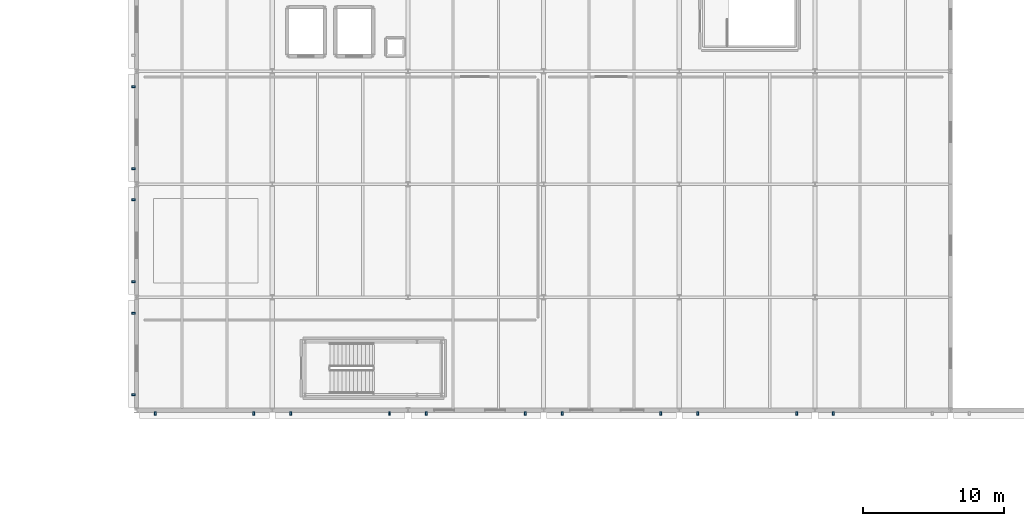
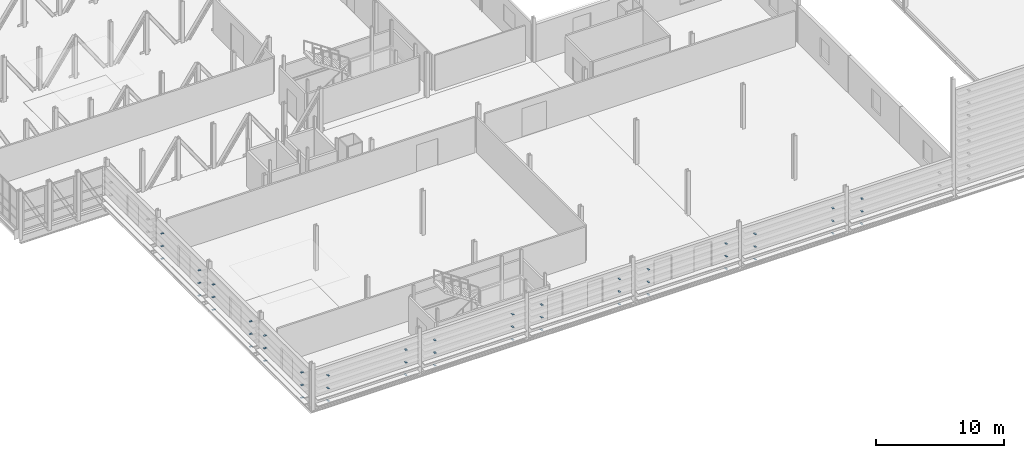
# One storey, part 55 of 73: 51 plates.
"""IFC4 building model written with IfcOpenShell, lengths in metres."""

from ifc_helpers import new_model, si_unit, direction, frame, origin, origin_2d, place, context, subcontext, project, spatial, rectangle, extrude, material, layer, layer_set, type_object, element, save


model = new_model("IFC4")

# Units and contexts
model_context = context("Model", 3, precision=1e-05, world=origin(), true_north=direction((0.0, 1.0)))
body_context = subcontext(model_context, "Body", "Model", "MODEL_VIEW")
ifc_project = project(units=[si_unit("LENGTHUNIT", "METRE"), si_unit("AREAUNIT", "SQUARE_METRE"), si_unit("VOLUMEUNIT", "CUBIC_METRE"), si_unit("PLANEANGLEUNIT", "RADIAN"), si_unit("MASSUNIT", "GRAM", prefix="KILO")], contexts=[model_context])

# Site, building, storey
site_placement = place(None, origin())
site = spatial("IfcSite", under=ifc_project, at=site_placement, CompositionType="ELEMENT")
building_placement = place(site_placement, origin())
building = spatial("IfcBuilding", under=site, at=building_placement, Name="Alderhovde Museum", CompositionType="ELEMENT")
storey_placement = place(building_placement, frame((0.0, 0.0, 12.89990234375)))
storey = spatial("IfcBuildingStorey", under=building, at=storey_placement, Name="L03", CompositionType="ELEMENT", Elevation=12.89990234375)

# Plates
ifc_material = material(Name="Steel S355J2", Category="steel")
ifc_layer = layer(ifc_material, 0.02001953125)
ifc_layer_set = layer_set([ifc_layer], Name="Steel S355J2")
plate_type = type_object("IfcPlateType", Name="LV-BRACKET", PredefinedType="USERDEFINED", material=ifc_layer_set)
for number, where, z_axis, x_axis, name in (
    (1, (9.3701171875, 49.112060546875, 0.2900390625), (0.0, 0.0, 1.0), (0.0, 1.0, 0.0), "L03 Louvre Support Bracket 127-1"),
    (2, (9.3701171875, 54.887939453125, 0.2900390625), (0.0, 0.0, 1.0), (0.0, 1.0, 0.0), "L03 Louvre Support Bracket 127-2"),
    (3, (9.3701171875, 49.112060546875, 1.489990234375), (0.0, 0.0, 1.0), (0.0, 1.0, 0.0), "L03 Louvre Support Bracket 129-1"),
    (4, (9.3701171875, 54.887939453125, 1.489990234375), (0.0, 0.0, 1.0), (0.0, 1.0, 0.0), "L03 Louvre Support Bracket 129-2"),
    (5, (9.3701171875, 49.112060546875, 2.690185546875), (0.0, 0.0, 1.0), (0.0, 1.0, 0.0), "L03 Louvre Support Bracket 131-1"),
    (6, (9.3701171875, 54.887939453125, 2.690185546875), (0.0, 0.0, 1.0), (0.0, 1.0, 0.0), "L03 Louvre Support Bracket 131-2"),
    (7, (9.3701171875, 57.112060546875, 0.2900390625), (0.0, 0.0, 1.0), (0.0, 1.0, 0.0), "L03 Louvre Support Bracket 133-1"),
    (8, (9.3701171875, 62.887939453125, 0.2900390625), (0.0, 0.0, 1.0), (0.0, 1.0, 0.0), "L03 Louvre Support Bracket 133-2"),
    (9, (9.3701171875, 57.112060546875, 1.489990234375), (0.0, 0.0, 1.0), (0.0, 1.0, 0.0), "L03 Louvre Support Bracket 135-1"),
    (10, (9.3701171875, 62.887939453125, 1.489990234375), (0.0, 0.0, 1.0), (0.0, 1.0, 0.0), "L03 Louvre Support Bracket 135-2"),
    (11, (9.3701171875, 57.112060546875, 2.690185546875), (0.0, 0.0, 1.0), (0.0, 1.0, 0.0), "L03 Louvre Support Bracket 137-1"),
    (12, (9.3701171875, 62.887939453125, 2.690185546875), (0.0, 0.0, 1.0), (0.0, 1.0, 0.0), "L03 Louvre Support Bracket 137-2"),
    (13, (9.3701171875, 65.112060546875, 0.2900390625), (0.0, 0.0, 1.0), (0.0, 1.0, 0.0), "L03 Louvre Support Bracket 139-1"),
    (14, (9.3701171875, 70.887939453125, 0.2900390625), (0.0, 0.0, 1.0), (0.0, 1.0, 0.0), "L03 Louvre Support Bracket 139-2"),
    (15, (9.3701171875, 65.112060546875, 1.489990234375), (0.0, 0.0, 1.0), (0.0, 1.0, 0.0), "L03 Louvre Support Bracket 141-1"),
    (16, (9.3701171875, 70.887939453125, 1.489990234375), (0.0, 0.0, 1.0), (0.0, 1.0, 0.0), "L03 Louvre Support Bracket 141-2"),
    (17, (9.3701171875, 65.112060546875, 2.690185546875), (0.0, 0.0, 1.0), (0.0, 1.0, 0.0), "L03 Louvre Support Bracket 143-1"),
    (18, (9.3701171875, 70.887939453125, 2.690185546875), (0.0, 0.0, 1.0), (0.0, 1.0, 0.0), "L03 Louvre Support Bracket 143-2"),
    (19, (10.904052734375, 47.77001953125, 0.2900390625), (0.0, 0.0, 1.0), (1.0, 0.0, 0.0), "L03 Louvre Support Bracket 151-1"),
    (20, (17.89599609375, 47.77001953125, 0.2900390625), (0.0, 0.0, 1.0), (1.0, 0.0, 0.0), "L03 Louvre Support Bracket 151-2"),
    (21, (10.904052734375, 47.77001953125, 1.489990234375), (0.0, 0.0, 1.0), (1.0, 0.0, 0.0), "L03 Louvre Support Bracket 153-1"),
    (22, (17.89599609375, 47.77001953125, 1.489990234375), (0.0, 0.0, 1.0), (1.0, 0.0, 0.0), "L03 Louvre Support Bracket 153-2"),
    (23, (10.904052734375, 47.77001953125, 2.690185546875), (0.0, 0.0, 1.0), (1.0, 0.0, 0.0), "L03 Louvre Support Bracket 155-1"),
    (24, (17.89599609375, 47.77001953125, 2.690185546875), (0.0, 0.0, 1.0), (1.0, 0.0, 0.0), "L03 Louvre Support Bracket 155-2"),
    (25, (20.50390625, 47.77001953125, 0.2900390625), (0.0, 0.0, 1.0), (1.0, 0.0, 0.0), "L03 Louvre Support Bracket 157-1"),
    (26, (27.49609375, 47.77001953125, 0.2900390625), (0.0, 0.0, 1.0), (1.0, 0.0, 0.0), "L03 Louvre Support Bracket 157-2"),
    (27, (20.50390625, 47.77001953125, 1.489990234375), (0.0, 0.0, 1.0), (1.0, 0.0, 0.0), "L03 Louvre Support Bracket 159-1"),
    (28, (27.49609375, 47.77001953125, 1.489990234375), (0.0, 0.0, 1.0), (1.0, 0.0, 0.0), "L03 Louvre Support Bracket 159-2"),
    (29, (20.50390625, 47.77001953125, 2.690185546875), (0.0, 0.0, 1.0), (1.0, 0.0, 0.0), "L03 Louvre Support Bracket 161-1"),
    (30, (27.49609375, 47.77001953125, 2.690185546875), (0.0, 0.0, 1.0), (1.0, 0.0, 0.0), "L03 Louvre Support Bracket 161-2"),
    (31, (30.10400390625, 47.77001953125, 0.2900390625), (0.0, 0.0, 1.0), (1.0, 0.0, 0.0), "L03 Louvre Support Bracket 163-1"),
    (32, (37.095947265625, 47.77001953125, 0.2900390625), (0.0, 0.0, 1.0), (1.0, 0.0, 0.0), "L03 Louvre Support Bracket 163-2"),
    (33, (30.10400390625, 47.77001953125, 1.489990234375), (0.0, 0.0, 1.0), (1.0, 0.0, 0.0), "L03 Louvre Support Bracket 165-1"),
    (34, (37.095947265625, 47.77001953125, 1.489990234375), (0.0, 0.0, 1.0), (1.0, 0.0, 0.0), "L03 Louvre Support Bracket 165-2"),
    (35, (30.10400390625, 47.77001953125, 2.690185546875), (0.0, 0.0, 1.0), (1.0, 0.0, 0.0), "L03 Louvre Support Bracket 167-1"),
    (36, (37.095947265625, 47.77001953125, 2.690185546875), (0.0, 0.0, 1.0), (1.0, 0.0, 0.0), "L03 Louvre Support Bracket 167-2"),
    (37, (39.7041015625, 47.77001953125, 0.2900390625), (0.0, 0.0, 1.0), (1.0, 0.0, 0.0), "L03 Louvre Support Bracket 169-1"),
    (38, (46.696044921875, 47.77001953125, 0.2900390625), (0.0, 0.0, 1.0), (1.0, 0.0, 0.0), "L03 Louvre Support Bracket 169-2"),
    (39, (39.7041015625, 47.77001953125, 1.489990234375), (0.0, 0.0, 1.0), (1.0, 0.0, 0.0), "L03 Louvre Support Bracket 171-1"),
    (40, (46.696044921875, 47.77001953125, 1.489990234375), (0.0, 0.0, 1.0), (1.0, 0.0, 0.0), "L03 Louvre Support Bracket 171-2"),
    (41, (39.7041015625, 47.77001953125, 2.690185546875), (0.0, 0.0, 1.0), (1.0, 0.0, 0.0), "L03 Louvre Support Bracket 173-1"),
    (42, (46.696044921875, 47.77001953125, 2.690185546875), (0.0, 0.0, 1.0), (1.0, 0.0, 0.0), "L03 Louvre Support Bracket 173-2"),
    (43, (49.303955078125, 47.77001953125, 0.2900390625), (0.0, 0.0, 1.0), (1.0, 0.0, 0.0), "L03 Louvre Support Bracket 175-1"),
    (44, (56.2958984375, 47.77001953125, 0.2900390625), (0.0, 0.0, 1.0), (1.0, 0.0, 0.0), "L03 Louvre Support Bracket 175-2"),
    (45, (49.303955078125, 47.77001953125, 1.489990234375), (0.0, 0.0, 1.0), (1.0, 0.0, 0.0), "L03 Louvre Support Bracket 177-1"),
    (46, (56.2958984375, 47.77001953125, 1.489990234375), (0.0, 0.0, 1.0), (1.0, 0.0, 0.0), "L03 Louvre Support Bracket 177-2"),
    (47, (49.303955078125, 47.77001953125, 2.690185546875), (0.0, 0.0, 1.0), (1.0, 0.0, 0.0), "L03 Louvre Support Bracket 179-1"),
    (48, (56.2958984375, 47.77001953125, 2.690185546875), (0.0, 0.0, 1.0), (1.0, 0.0, 0.0), "L03 Louvre Support Bracket 179-2"),
    (49, (58.904052734375, 47.77001953125, 0.2900390625), (0.0, 0.0, 1.0), (1.0, 0.0, 0.0), "L03 Louvre Support Bracket 181-1"),
    (50, (58.904052734375, 47.77001953125, 1.489990234375), (0.0, 0.0, 1.0), (1.0, 0.0, 0.0), "L03 Louvre Support Bracket 183-1"),
    (51, (58.904052734375, 47.77001953125, 2.690185546875), (0.0, 0.0, 1.0), (1.0, 0.0, 0.0), "L03 Louvre Support Bracket 185-1"),
):
    element("IfcPlate", number, at=place(storey_placement, frame(where, z_axis=z_axis, x_axis=x_axis)), inside=storey, type_object=plate_type, Name=name, ObjectType="BRACKET PLATE", PredefinedType="USERDEFINED", context=body_context, shape_type="SweptSolid", body=[
        extrude(rectangle(XDim=0.139892578125, YDim=0.260009765625, at=origin_2d()), origin(), (0.0, 0.0, 1.0), 0.02001953125),
    ])

save(model, "model.ifc")
